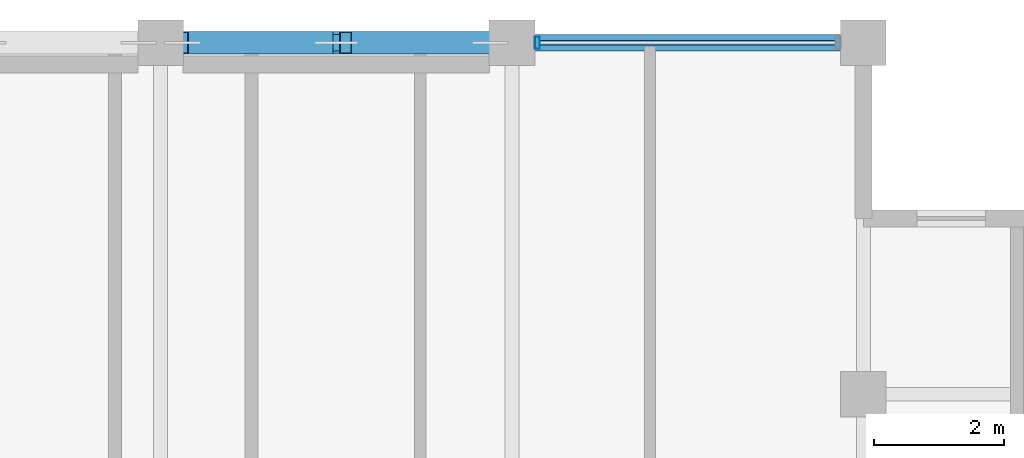
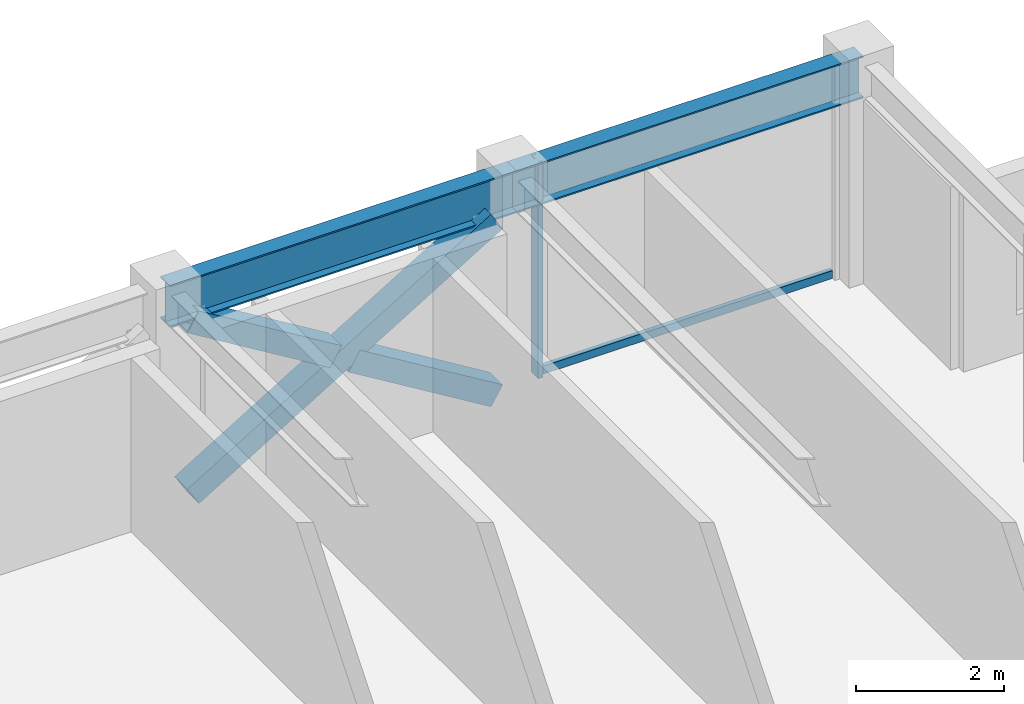
# One storey, part 19 of 29: 5 members, 2 beams, 1 element without a shape of its own.
"""IFC4 building model written with IfcOpenShell, lengths in metres."""

import ifcopenshell
import ifcopenshell.guid

model = None  # the IFC model being written
_history = None  # IfcOwnerHistory: only IFC2X3 demands one
_inside = {}  # id of a spatial element -> (the spatial element, [elements in it])
_under = {}  # id of a project, library or spatial element -> (it, [spatial elements below it])
_declared = {}  # id of a project -> (the project, [libraries it declares])
_typed = {}  # id of a type object -> (the type object, [elements of that type])
_made_of = {}  # id of a material, layer set ... -> (it, [elements and type objects made of it])


def new_model(schema):
    """Start an empty IFC model of exactly this schema.

    Asked for "IFC4X3", IfcOpenShell would pick the latest addendum, in which some entities
    have other attributes; the version numbers below select the first issue.
    IFC2X3 requires an IfcOwnerHistory on every rooted entity: one is made here for all.
    """
    global model, _history
    if schema == "IFC4X3":
        model = ifcopenshell.file(schema_version=(4, 3, 0, 0))
    else:
        model = ifcopenshell.file(schema=schema)
    _inside.clear()
    _under.clear()
    _declared.clear()
    _typed.clear()
    _made_of.clear()
    _history = None
    if model.schema == "IFC2X3":
        org = make("IfcOrganization", Name="unknown")
        user = make(
            "IfcPersonAndOrganization",
            ThePerson=make("IfcPerson", FamilyName="unknown"),
            TheOrganization=org,
        )
        app = make(
            "IfcApplication",
            ApplicationDeveloper=org,
            Version="unknown",
            ApplicationFullName="unknown",
            ApplicationIdentifier="unknown",
        )
        _history = make(
            "IfcOwnerHistory",
            OwningUser=user,
            OwningApplication=app,
            ChangeAction="ADDED",
            CreationDate=0,
        )
    return model


def make(cls, **values):
    """One entity of the class cls with the attributes given. An attribute that is None is left unset."""
    return model.create_entity(
        cls, **{name: value for name, value in values.items() if value is not None}
    )


def rooted(cls, **values):
    """An entity with a GlobalId (a new one), such as an element, a storey or a relation."""
    return make(cls, GlobalId=ifcopenshell.guid.new(), OwnerHistory=_history, **values)


def si_unit(unit_type, name, prefix=None):
    """IfcSIUnit, for example si_unit("LENGTHUNIT", "METRE", prefix="MILLI")."""
    return make("IfcSIUnit", UnitType=unit_type, Prefix=prefix, Name=name)


def assignment(units):
    """IfcUnitAssignment: the units of a project."""
    return None if units is None else make("IfcUnitAssignment", Units=units)


def point(xyz):
    """IfcCartesianPoint."""
    return None if xyz is None else make("IfcCartesianPoint", Coordinates=xyz)


def direction(xyz):
    """IfcDirection."""
    return None if xyz is None else make("IfcDirection", DirectionRatios=xyz)


def frame(location, z_axis=None, x_axis=None):
    """IfcAxis2Placement3D, a coordinate frame: its origin and axes. An axis left out is left unset."""
    return make(
        "IfcAxis2Placement3D",
        Location=point(location),
        Axis=direction(z_axis),
        RefDirection=direction(x_axis),
    )


def frame_2d(location, x_axis=None):
    """IfcAxis2Placement2D, a coordinate frame in the plane: its origin and x axis."""
    return make(
        "IfcAxis2Placement2D", Location=point(location), RefDirection=direction(x_axis)
    )


def origin():
    """The frame at (0, 0, 0) with its axes left unset."""
    return frame((0.0, 0.0, 0.0))


def origin_2d():
    """The frame at (0, 0) in the plane with its x axis left unset."""
    return frame_2d((0.0, 0.0))


def place(relative_to, where):
    """IfcLocalPlacement: puts the frame where relative to a parent placement (None: the world)."""
    return make(
        "IfcLocalPlacement", PlacementRelTo=relative_to, RelativePlacement=where
    )


def context(
    kind, dimensions, precision=None, world=None, true_north=None, identifier=None
):
    """IfcGeometricRepresentationContext, for example the 3D "Model" context."""
    return make(
        "IfcGeometricRepresentationContext",
        ContextIdentifier=identifier,
        ContextType=kind,
        CoordinateSpaceDimension=dimensions,
        Precision=precision,
        WorldCoordinateSystem=world,
        TrueNorth=true_north,
    )


def subcontext(parent, identifier, kind, view, scale=None):
    """IfcGeometricRepresentationSubContext, for example "Body" below "Model"."""
    return make(
        "IfcGeometricRepresentationSubContext",
        ContextIdentifier=identifier,
        ContextType=kind,
        ParentContext=parent,
        TargetScale=scale,
        TargetView=view,
    )


def project(units=None, contexts=None):
    """IfcProject with its units and contexts."""
    return rooted(
        "IfcProject",
        Name="project",
        RepresentationContexts=contexts,
        UnitsInContext=assignment(units),
    )


def spatial(cls, under=None, at=None, **own):
    """A site, building, storey or space (cls), placed at a placement, below another one or the project."""
    s = rooted(cls, ObjectPlacement=at, **own)
    if under is not None:
        _under.setdefault(under.id(), (under, []))[1].append(s)
    return s


def profile(cls, at=None, kind="AREA", **sizes):
    """A parametric profile (cls). Its sizes go by their IFC names, for example OverallWidth=200.0."""
    return make(cls, ProfileType=kind, Position=at, **sizes)


def hollow_rectangle(**sizes):
    """IfcRectangleHollowProfileDef."""
    return profile("IfcRectangleHollowProfileDef", **sizes)


def i_section(**sizes):
    """IfcIShapeProfileDef."""
    return profile("IfcIShapeProfileDef", **sizes)


def extrude(swept, where, along, depth):
    """IfcExtrudedAreaSolid: the profile swept, set in the frame where, extruded along a direction by depth."""
    return make(
        "IfcExtrudedAreaSolid",
        SweptArea=swept,
        Position=where,
        ExtrudedDirection=direction(along),
        Depth=depth,
    )


def shape(context_of_items, identifier, shape_type, items):
    """IfcShapeRepresentation: the items that make up one representation, for example the "Body"."""
    return make(
        "IfcShapeRepresentation",
        ContextOfItems=context_of_items,
        RepresentationIdentifier=identifier,
        RepresentationType=shape_type,
        Items=items,
    )


def material(Name=None, Category=None):
    """IfcMaterial."""
    return make("IfcMaterial", Name=Name, Category=Category)


def layer(
    of_material, thickness, ventilated=None, Name=None, Category=None, Priority=None
):
    """IfcMaterialLayer: one layer of a wall or slab, of a material (None: an air gap)."""
    return make(
        "IfcMaterialLayer",
        Material=of_material,
        LayerThickness=thickness,
        IsVentilated=ventilated,
        Name=Name,
        Category=Category,
        Priority=Priority,
    )


def layer_set(layers, Name=None):
    """IfcMaterialLayerSet."""
    return make("IfcMaterialLayerSet", MaterialLayers=layers, LayerSetName=Name)


def material_profile(
    of_material, cross_section, Name=None, Category=None, Priority=None
):
    """IfcMaterialProfile: a cross section and its material."""
    return make(
        "IfcMaterialProfile",
        Name=Name,
        Material=of_material,
        Profile=cross_section,
        Priority=Priority,
        Category=Category,
    )


def profile_set(profiles, Name=None, composite=None):
    """IfcMaterialProfileSet."""
    return make(
        "IfcMaterialProfileSet",
        Name=Name,
        MaterialProfiles=profiles,
        CompositeProfile=composite,
    )


def made_of(thing, what):
    """Note that an element or type object is made of a material, layer set ...; save() writes the relation."""
    if what is not None:
        _made_of.setdefault(what.id(), (what, []))[1].append(thing)
    return thing


def type_object(cls, material=None, **own):
    """A type object (cls), such as IfcWallType, which elements share."""
    return made_of(rooted(cls, **own), material)


def element(
    cls,
    number,
    at=None,
    inside=None,
    cuts=None,
    type_object=None,
    material=None,
    context=None,
    identifier="Body",
    shape_type=None,
    held_by="IfcProductDefinitionShape",
    body=None,
    shapes=None,
    **own,
):
    """One element of the class cls, such as IfcWall. Its Tag is "e" and its number.

    at: its placement. inside: the storey or other place that contains it. cuts: it is an
    opening in that element (IfcRelVoidsElement). A single representation is given by context,
    identifier, shape_type and body (its items); several are given by shapes. held_by: the class
    of the entity that holds the representations. save() writes the other relations.
    """
    e = rooted(cls, Tag="e%d" % number, ObjectPlacement=at, **own)
    if body is not None:
        shapes = [shape(context, identifier, shape_type, body)]
    if shapes is not None:
        e.Representation = make(held_by, Representations=shapes)
    if inside is not None:
        _inside.setdefault(inside.id(), (inside, []))[1].append(e)
    if cuts is not None:
        rooted(
            "IfcRelVoidsElement", RelatingBuildingElement=cuts, RelatedOpeningElement=e
        )
    if type_object is not None:
        _typed.setdefault(type_object.id(), (type_object, []))[1].append(e)
    return made_of(e, material)


def aggregate(whole, parts):
    """IfcRelAggregates: a whole, such as a stair, and the parts it consists of."""
    return rooted("IfcRelAggregates", RelatingObject=whole, RelatedObjects=parts)


def save(model, path):
    """Write the relations noted so far, then the file.

    IfcRelAggregates (storeys below a building ...), IfcRelContainedInSpatialStructure (elements
    in a storey), IfcRelDefinesByType, IfcRelAssociatesMaterial and IfcRelDeclares: one each for
    every whole, place, type object, material and project.
    """
    for whole, parts in _under.values():
        aggregate(whole, parts)
    for where, things in _inside.values():
        rooted(
            "IfcRelContainedInSpatialStructure",
            RelatedElements=things,
            RelatingStructure=where,
        )
    for kind, things in _typed.values():
        rooted("IfcRelDefinesByType", RelatedObjects=things, RelatingType=kind)
    for what, things in _made_of.values():
        rooted("IfcRelAssociatesMaterial", RelatedObjects=things, RelatingMaterial=what)
    for by, libraries in _declared.values():
        rooted("IfcRelDeclares", RelatingContext=by, RelatedDefinitions=libraries)
    model.write(path)


model = new_model("IFC4")

# Units and contexts
model_context = context("Model", 3, precision=1e-05, world=origin(), true_north=direction((0.0, 1.0)))
body_context = subcontext(model_context, "Body", "Model", "MODEL_VIEW")
ifc_project = project(units=[si_unit("LENGTHUNIT", "METRE"), si_unit("AREAUNIT", "SQUARE_METRE"), si_unit("VOLUMEUNIT", "CUBIC_METRE"), si_unit("PLANEANGLEUNIT", "RADIAN"), si_unit("MASSUNIT", "GRAM", prefix="KILO")], contexts=[model_context])

# Site, building, storey
site_placement = place(None, origin())
site = spatial("IfcSite", under=ifc_project, at=site_placement, CompositionType="ELEMENT")
building_placement = place(site_placement, origin())
building = spatial("IfcBuilding", under=site, at=building_placement, Name="Surkhivell Harbour Commons", CompositionType="ELEMENT")
storey_placement = place(building_placement, frame((0.0, 0.0, 326.25)))
storey = spatial("IfcBuildingStorey", under=building, at=storey_placement, Name="L85", CompositionType="ELEMENT", Elevation=326.25)

# Beams
ifc_material_1 = material(Name="Steel S355", Category="steel")
ifc_material_profile_1 = material_profile(ifc_material_1, i_section(OverallWidth=0.256103515625, OverallDepth=0.693115234375, WebThickness=0.014404296875, FlangeThickness=0.023681640625, at=origin_2d()), Name="UB686x254x170")
ifc_profile_set_1 = profile_set([ifc_material_profile_1], Name="Steel S355")
beam_type = type_object("IfcBeamType", Name="BM-SPN-686", PredefinedType="SPANDREL", material=ifc_profile_set_1)
beam_1_placement = place(storey_placement, frame((0.0, 25.89990234375, 3.223388671875), z_axis=(1.0, 0.0, 0.0), x_axis=(0.0, 1.0, 0.0)))
element("IfcBeam", 1, at=beam_1_placement, inside=storey, type_object=beam_type, Name="L85 Tube Spandrel (-0.0,25.9)", PredefinedType="SPANDREL", context=body_context, shape_type="SweptSolid", body=[
    extrude(i_section(OverallWidth=0.256103515625, OverallDepth=0.693115234375, WebThickness=0.014404296875, FlangeThickness=0.023681640625, at=origin_2d()), origin(), (0.0, 0.0, 1.0), 5.39990234375),
])
beam_2_placement = place(storey_placement, frame((5.39990234375, 25.89990234375, 3.223388671875), z_axis=(1.0, 0.0, 0.0), x_axis=(0.0, 1.0, 0.0)))
element("IfcBeam", 2, at=beam_2_placement, inside=storey, type_object=beam_type, Name="L85 Tube Spandrel (5.4,25.9)", PredefinedType="SPANDREL", context=body_context, shape_type="SweptSolid", body=[
    extrude(i_section(OverallWidth=0.256103515625, OverallDepth=0.693115234375, WebThickness=0.014404296875, FlangeThickness=0.023681640625, at=origin_2d()), origin(), (0.0, 0.0, 1.0), 5.400146484375),
])

# Curtain wall, members
ifc_material_2 = material(Name="Anodised pale-metal aluminium and insulated glazing", Category="aluminium")
ifc_layer = layer(ifc_material_2, 0.175048828125)
ifc_layer_set = layer_set([ifc_layer], Name="Anodised pale-metal aluminium and insulated glazing")
curtain_wall_type = type_object("IfcCurtainWallType", Name="CW-SYS-Z4", PredefinedType="NOTDEFINED", material=ifc_layer_set)
curtain_wall_placement = place(storey_placement, origin())
curtain_wall = element("IfcCurtainWall", 3, at=curtain_wall_placement, inside=storey, type_object=curtain_wall_type, Name="L85 Curtain Wall CW-L85-E07S1", PredefinedType="NOTDEFINED")
ifc_material_3 = material(Name="Anodised pale-metal aluminium alloy 6063-T6", Category="aluminium")
ifc_material_profile_2 = material_profile(ifc_material_3, hollow_rectangle(XDim=0.074951171875, YDim=0.18994140625, WallThickness=0.00390625, at=origin_2d()), Name="ALU-MULL-75x190")
ifc_profile_set_2 = profile_set([ifc_material_profile_2], Name="Anodised pale-metal aluminium alloy 6063-T6")
member_type_1 = type_object("IfcMemberType", Name="CWM-190", PredefinedType="MULLION", material=ifc_profile_set_2)
member_1_placement = place(storey_placement, frame((5.78955078125, 25.89990234375, 0.0), z_axis=(0.0, 0.0, 1.0), x_axis=(-1.0, 0.0, 0.0)))
member_1 = element("IfcMember", 4, at=member_1_placement, type_object=member_type_1, Name="CW-Z4 mullion 2", PredefinedType="MULLION", context=body_context, shape_type="SweptSolid", body=[
    extrude(hollow_rectangle(XDim=0.074951171875, YDim=0.18994140625, WallThickness=0.00390625, at=origin_2d()), origin(), (0.0, 0.0, 1.0), 3.570068359375),
])
ifc_material_4 = material(Name="Champagne anodised aluminium alloy 6063-T6", Category="aluminium")
ifc_material_profile_3 = material_profile(ifc_material_4, hollow_rectangle(XDim=0.070068359375, YDim=0.1298828125, WallThickness=0.00341796875, at=origin_2d()), Name="ALU-TRAN-70x130")
ifc_profile_set_3 = profile_set([ifc_material_profile_3], Name="Champagne anodised aluminium alloy 6063-T6")
member_type_2 = type_object("IfcMemberType", Name="CWT-130", PredefinedType="USERDEFINED", material=ifc_profile_set_3)
member_2_placement = place(storey_placement, frame((10.373046875, 25.89990234375, 0.06494140625), z_axis=(-1.0, 0.0, 0.0), x_axis=(0.0, -1.0, 0.0)))
member_2 = element("IfcMember", 5, at=member_2_placement, type_object=member_type_2, Name="CW-Z4 transom 1.1", ObjectType="TRANSOM", PredefinedType="USERDEFINED", context=body_context, shape_type="SweptSolid", body=[
    extrude(hollow_rectangle(XDim=0.070068359375, YDim=0.1298828125, WallThickness=0.00341796875, at=origin_2d()), origin(), (0.0, 0.0, 1.0), 4.546142578125),
])
aggregate(curtain_wall, [member_1, member_2])

# Members
ifc_material_profile_4 = material_profile(ifc_material_1, hollow_rectangle(XDim=0.35009765625, YDim=0.35009765625, WallThickness=0.01611328125, at=origin_2d()), Name="SHS350x350x16")
ifc_profile_set_4 = profile_set([ifc_material_profile_4], Name="Steel S355")
member_type_3 = type_object("IfcMemberType", Name="MEM-BRC-SHS350", PredefinedType="BRACE", material=ifc_profile_set_4)
member_3_placement = place(storey_placement, frame((0.3349609375, 25.89990234375, 0.008056640625), z_axis=(0.854685454322, 0.0, 0.519146197299), x_axis=(0.0, 1.0, 0.0)))
element("IfcMember", 6, at=member_3_placement, inside=storey, type_object=member_type_3, Name="L85 Perimeter Mega-Brace MB- 04", PredefinedType="BRACE", context=body_context, shape_type="SweptSolid", body=[
    extrude(hollow_rectangle(XDim=0.35009765625, YDim=0.35009765625, WallThickness=0.01611328125, at=origin_2d()), origin(), (0.0, 0.0, 1.0), 5.5341796875),
])
for number, where, z_axis, x_axis, name in (
    (7, (5.06494140625, 25.89990234375, 0.008056640625), (-0.854678858595, 0.0, 0.51915705588), (0.0, -1.0, 0.0), "L85 Perimeter Mega-Brace MB- 05"),
    (8, (2.556396484375, 25.89990234375, 1.53173828125), (-0.854678858595, 0.0, 0.51915705588), (0.0, -1.0, 0.0), "L85 Perimeter Mega-Brace MB- 06"),
):
    element("IfcMember", number, at=place(storey_placement, frame(where, z_axis=z_axis, x_axis=x_axis)), inside=storey, type_object=member_type_3, Name=name, PredefinedType="BRACE", context=body_context, shape_type="SweptSolid", body=[
        extrude(hollow_rectangle(XDim=0.35009765625, YDim=0.35009765625, WallThickness=0.01611328125, at=origin_2d()), origin(), (0.0, 0.0, 1.0), 2.59912109375),
    ])

save(model, "model.ifc")
